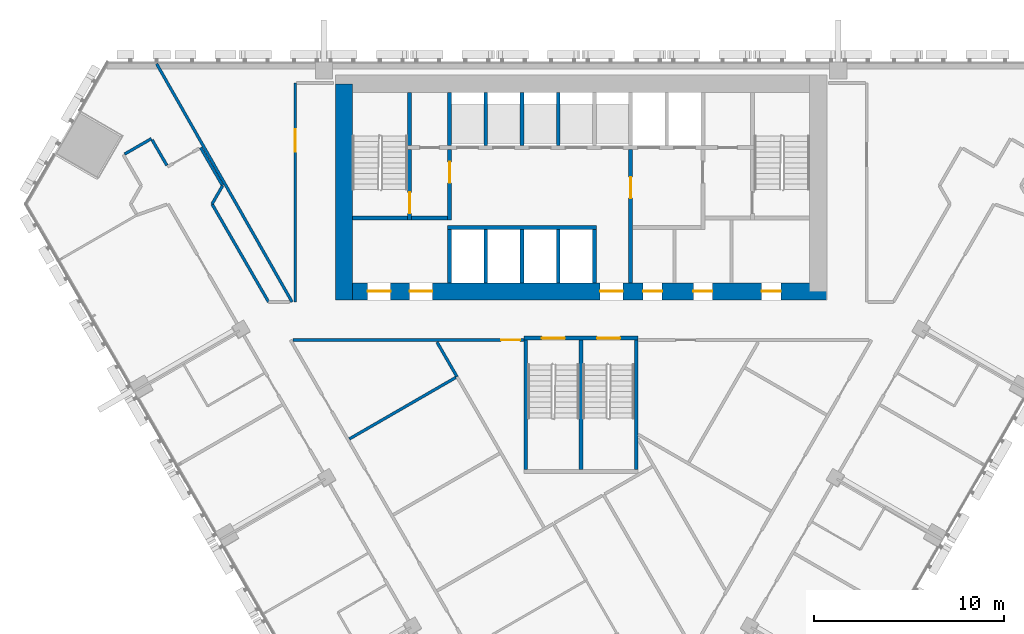
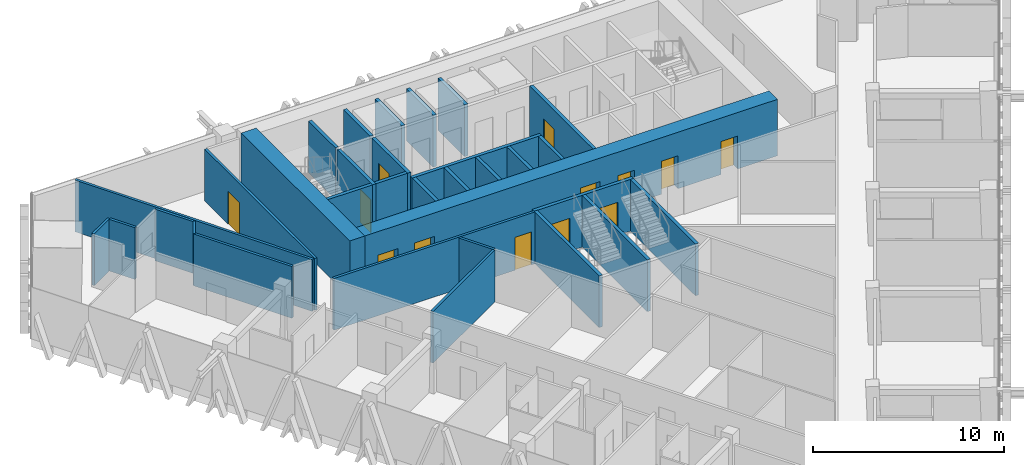
# One storey, part 10 of 15: 32 walls, 13 doors, 13 openings.
"""IFC4 building model written with IfcOpenShell, lengths in metres."""

from ifc_helpers import new_model, si_unit, direction, frame, frame_2d, origin, place, context, subcontext, project, spatial, rectangle, extrude, material, layer, layer_set, type_object, element, fill, save


model = new_model("IFC4")

# Units and contexts
model_context = context("Model", 3, precision=1e-05, world=origin(), true_north=direction((0.0, 1.0)))
body_context = subcontext(model_context, "Body", "Model", "MODEL_VIEW")
ifc_project = project(units=[si_unit("LENGTHUNIT", "METRE"), si_unit("AREAUNIT", "SQUARE_METRE"), si_unit("VOLUMEUNIT", "CUBIC_METRE"), si_unit("PLANEANGLEUNIT", "RADIAN"), si_unit("MASSUNIT", "GRAM", prefix="KILO")], contexts=[model_context])

# Site, building, storey
site_placement = place(None, origin())
site = spatial("IfcSite", under=ifc_project, at=site_placement, CompositionType="ELEMENT")
building_placement = place(site_placement, origin())
building = spatial("IfcBuilding", under=site, at=building_placement, Name="Altiplano Prism Tower", CompositionType="ELEMENT")
storey_placement = place(building_placement, frame((0.0, 0.0, 91.800048828125)))
storey = spatial("IfcBuildingStorey", under=building, at=storey_placement, Name="L23", CompositionType="ELEMENT", Elevation=91.800048828125)

# Wall, openings, doors
ifc_material_1 = material(Name="Concrete C70/85", Category="concrete")
ifc_layer_1 = layer(ifc_material_1, 0.89990234375)
ifc_layer_set_1 = layer_set([ifc_layer_1], Name="Concrete C70/85")
wall_type_1 = type_object("IfcWallType", Name="Core wall 900", PredefinedType="SHEAR", material=ifc_layer_set_1)
wall_1_placement = place(storey_placement, frame((72.550048828125, 92.949951171875, 0.0), z_axis=(0.0, 0.0, 1.0), x_axis=(1.0, 0.0, 0.0)))
wall_1 = element("IfcWall", 1, at=wall_1_placement, inside=storey, type_object=wall_type_1, Name="Core wall S L23", PredefinedType="SHEAR", context=body_context, shape_type="SweptSolid", body=[
    extrude(rectangle(XDim=25.349853515625, YDim=0.89990234375, at=frame_2d((12.6748046875, 0.0))), origin(), (0.0, 0.0, 1.0), 3.599853515625),
])
opening_1_placement = place(wall_1_placement, frame((1.25, 0.0, 0.0)))
opening_1 = element("IfcOpeningElement", 2, at=opening_1_placement, cuts=wall_1, Name="Opening D2900", PredefinedType="OPENING", context=body_context, shape_type="SweptSolid", body=[
    extrude(rectangle(XDim=1.199951171875, YDim=2.10009765625, at=frame_2d((0.60009765625, 1.050048828125))), frame((0.0, 0.46044921875, 0.0), z_axis=(0.0, -1.0, 0.0), x_axis=(1.0, 0.0, 0.0)), (0.0, 0.0, 1.0), 0.9208984375),
])
opening_2_placement = place(wall_1_placement, frame((3.449951171875, 0.0, 0.0)))
opening_2 = element("IfcOpeningElement", 3, at=opening_2_placement, cuts=wall_1, Name="Opening D2901", PredefinedType="OPENING", context=body_context, shape_type="SweptSolid", body=[
    extrude(rectangle(XDim=1.199951171875, YDim=2.10009765625, at=frame_2d((0.60009765625, 1.050048828125))), frame((0.0, 0.46044921875, 0.0), z_axis=(0.0, -1.0, 0.0), x_axis=(1.0, 0.0, 0.0)), (0.0, 0.0, 1.0), 0.9208984375),
])
opening_3_placement = place(wall_1_placement, frame((13.449951171875, 0.0, 0.0)))
opening_3 = element("IfcOpeningElement", 4, at=opening_3_placement, cuts=wall_1, Name="Opening D2902", PredefinedType="OPENING", context=body_context, shape_type="SweptSolid", body=[
    extrude(rectangle(XDim=1.199951171875, YDim=2.10009765625, at=frame_2d((0.60009765625, 1.050048828125))), frame((0.0, 0.46044921875, 0.0), z_axis=(0.0, -1.0, 0.0), x_axis=(1.0, 0.0, 0.0)), (0.0, 0.0, 1.0), 0.9208984375),
])
opening_4_placement = place(wall_1_placement, frame((15.71240234375, 0.0, 0.0)))
opening_4 = element("IfcOpeningElement", 5, at=opening_4_placement, cuts=wall_1, Name="Opening D2905", PredefinedType="OPENING", context=body_context, shape_type="SweptSolid", body=[
    extrude(rectangle(XDim=1.0, YDim=2.10009765625, at=frame_2d((0.5, 1.050048828125))), frame((0.0, 0.46044921875, 0.0), z_axis=(0.0, -1.0, 0.0), x_axis=(1.0, 0.0, 0.0)), (0.0, 0.0, 1.0), 0.9208984375),
])
opening_5_placement = place(wall_1_placement, frame((18.35009765625, 0.0, 0.0)))
opening_5 = element("IfcOpeningElement", 6, at=opening_5_placement, cuts=wall_1, Name="Opening D2906", PredefinedType="OPENING", context=body_context, shape_type="SweptSolid", body=[
    extrude(rectangle(XDim=1.0, YDim=2.10009765625, at=frame_2d((0.5, 1.050048828125))), frame((0.0, 0.46044921875, 0.0), z_axis=(0.0, -1.0, 0.0), x_axis=(1.0, 0.0, 0.0)), (0.0, 0.0, 1.0), 0.9208984375),
])
opening_6_placement = place(wall_1_placement, frame((21.9375, 0.0, 0.0)))
opening_6 = element("IfcOpeningElement", 7, at=opening_6_placement, cuts=wall_1, Name="Opening D2907", PredefinedType="OPENING", context=body_context, shape_type="SweptSolid", body=[
    extrude(rectangle(XDim=1.0, YDim=2.10009765625, at=frame_2d((0.5, 1.050048828125))), frame((0.0, 0.46044921875, 0.0), z_axis=(0.0, -1.0, 0.0), x_axis=(1.0, 0.0, 0.0)), (0.0, 0.0, 1.0), 0.9208984375),
])
ifc_material_2 = material(Name="Fire-rated steel door", Category="steel")
door_type_1 = type_object("IfcDoorType", Name="Core room door 1000 x 2100", OperationType="NOTDEFINED", PredefinedType="NOTDEFINED", material=ifc_material_2)
door_1_placement = place(opening_4_placement, origin())
door_1 = element("IfcDoor", 8, at=door_1_placement, inside=storey, type_object=door_type_1, Name="Core room door D2905", OperationType="SINGLE_SWING_RIGHT", OverallHeight=2.10009765625, OverallWidth=1.0, PredefinedType="NOTDEFINED", context=body_context, shape_type="SweptSolid", body=[
    extrude(rectangle(XDim=1.0, YDim=2.10009765625, at=frame_2d((0.5, 1.050048828125))), frame((0.0, 0.02490234375, 0.0), z_axis=(0.0, -1.0, 0.0), x_axis=(1.0, 0.0, 0.0)), (0.0, 0.0, 1.0), 0.050048828125),
])
fill(opening_4, door_1)
door_2_placement = place(opening_5_placement, origin())
door_2 = element("IfcDoor", 9, at=door_2_placement, inside=storey, type_object=door_type_1, Name="Core room door D2906", OperationType="SINGLE_SWING_LEFT", OverallHeight=2.10009765625, OverallWidth=1.0, PredefinedType="NOTDEFINED", context=body_context, shape_type="SweptSolid", body=[
    extrude(rectangle(XDim=1.0, YDim=2.10009765625, at=frame_2d((0.5, 1.050048828125))), frame((0.0, 0.02490234375, 0.0), z_axis=(0.0, -1.0, 0.0), x_axis=(1.0, 0.0, 0.0)), (0.0, 0.0, 1.0), 0.050048828125),
])
fill(opening_5, door_2)
door_3_placement = place(opening_6_placement, origin())
door_3 = element("IfcDoor", 10, at=door_3_placement, inside=storey, type_object=door_type_1, Name="Core room door D2907", OperationType="SINGLE_SWING_RIGHT", OverallHeight=2.10009765625, OverallWidth=1.0, PredefinedType="NOTDEFINED", context=body_context, shape_type="SweptSolid", body=[
    extrude(rectangle(XDim=1.0, YDim=2.10009765625, at=frame_2d((0.5, 1.050048828125))), frame((0.0, 0.02490234375, 0.0), z_axis=(0.0, -1.0, 0.0), x_axis=(1.0, 0.0, 0.0)), (0.0, 0.0, 1.0), 0.050048828125),
])
fill(opening_6, door_3)
door_type_2 = type_object("IfcDoorType", Name="Lobby fire door 1200 x 2100", OperationType="NOTDEFINED", PredefinedType="NOTDEFINED", material=ifc_material_2)
door_4_placement = place(opening_1_placement, origin())
door_4 = element("IfcDoor", 11, at=door_4_placement, inside=storey, type_object=door_type_2, Name="Lobby fire door D2900", OperationType="SINGLE_SWING_RIGHT", OverallHeight=2.10009765625, OverallWidth=1.199951171875, PredefinedType="NOTDEFINED", context=body_context, shape_type="SweptSolid", body=[
    extrude(rectangle(XDim=1.199951171875, YDim=2.10009765625, at=frame_2d((0.60009765625, 1.050048828125))), frame((0.0, 0.02490234375, 0.0), z_axis=(0.0, -1.0, 0.0), x_axis=(1.0, 0.0, 0.0)), (0.0, 0.0, 1.0), 0.050048828125),
])
fill(opening_1, door_4)
door_5_placement = place(opening_2_placement, origin())
door_5 = element("IfcDoor", 12, at=door_5_placement, inside=storey, type_object=door_type_2, Name="Lobby fire door D2901", OperationType="SINGLE_SWING_LEFT", OverallHeight=2.10009765625, OverallWidth=1.199951171875, PredefinedType="NOTDEFINED", context=body_context, shape_type="SweptSolid", body=[
    extrude(rectangle(XDim=1.199951171875, YDim=2.10009765625, at=frame_2d((0.60009765625, 1.050048828125))), frame((0.0, 0.02490234375, 0.0), z_axis=(0.0, -1.0, 0.0), x_axis=(1.0, 0.0, 0.0)), (0.0, 0.0, 1.0), 0.050048828125),
])
fill(opening_2, door_5)
door_6_placement = place(opening_3_placement, origin())
door_6 = element("IfcDoor", 13, at=door_6_placement, inside=storey, type_object=door_type_2, Name="Lobby fire door D2902", OperationType="SINGLE_SWING_RIGHT", OverallHeight=2.10009765625, OverallWidth=1.199951171875, PredefinedType="NOTDEFINED", context=body_context, shape_type="SweptSolid", body=[
    extrude(rectangle(XDim=1.199951171875, YDim=2.10009765625, at=frame_2d((0.60009765625, 1.050048828125))), frame((0.0, 0.02490234375, 0.0), z_axis=(0.0, -1.0, 0.0), x_axis=(1.0, 0.0, 0.0)), (0.0, 0.0, 1.0), 0.050048828125),
])
fill(opening_3, door_6)

# Walls
wall_2_placement = place(storey_placement, frame((72.550048828125, 103.85009765625, 0.0), z_axis=(0.0, 0.0, 1.0), x_axis=(0.0, -1.0, 0.0)))
element("IfcWall", 14, at=wall_2_placement, inside=storey, type_object=wall_type_1, Name="Core wall W L23", PredefinedType="SHEAR", context=body_context, shape_type="SweptSolid", body=[
    extrude(rectangle(XDim=11.35009765625, YDim=0.89990234375, at=frame_2d((5.675048828125, 0.0))), origin(), (0.0, 0.0, 1.0), 3.599853515625),
])
ifc_material_3 = material(Name="Plasterboard on steel stud", Category="steel")
ifc_layer_2 = layer(ifc_material_3, 0.14990234375)
ifc_layer_set_2 = layer_set([ifc_layer_2], Name="Plasterboard on steel stud")
wall_type_2 = type_object("IfcWallType", Name="Partition 150 corridor", PredefinedType="PARTITIONING", material=ifc_layer_set_2)
wall_3_placement = place(storey_placement, frame((68.59619140625, 92.39990234375, 0.0), z_axis=(0.0, 0.0, 1.0), x_axis=(-0.500019194352, 0.866014321637, 0.0)))
element("IfcWall", 15, at=wall_3_placement, inside=storey, type_object=wall_type_2, Name="Partition P06 L23 004", PredefinedType="PARTITIONING", context=body_context, shape_type="SweptSolid", body=[
    extrude(rectangle(XDim=5.934814453125, YDim=0.14990234375, at=frame_2d((2.96728515625, 0.0))), origin(), (0.0, 0.0, 1.0), 3.300048828125),
])
wall_4_placement = place(storey_placement, frame((65.628662109375, 97.53955078125, 0.0), z_axis=(0.0, 0.0, 1.0), x_axis=(0.50011622646, 0.865958290007, 0.0)))
element("IfcWall", 16, at=wall_4_placement, inside=storey, type_object=wall_type_2, Name="Partition P06 L23 005", PredefinedType="PARTITIONING", context=body_context, shape_type="SweptSolid", body=[
    extrude(rectangle(XDim=1.109130859375, YDim=0.14990234375, at=frame_2d((0.5546875, 0.0))), origin(), (0.0, 0.0, 1.0), 3.300048828125),
])
wall_5_placement = place(storey_placement, frame((66.183349609375, 98.5, 0.0), z_axis=(0.0, 0.0, 1.0), x_axis=(-0.500027479704, 0.866009537788, 0.0)))
element("IfcWall", 17, at=wall_5_placement, inside=storey, type_object=wall_type_2, Name="Partition P06 L23 006", PredefinedType="PARTITIONING", context=body_context, shape_type="SweptSolid", body=[
    extrude(rectangle(XDim=2.309326171875, YDim=0.14990234375, at=frame_2d((1.15478515625, 0.0))), origin(), (0.0, 0.0, 1.0), 3.300048828125),
])
wall_6_placement = place(storey_placement, frame((63.259033203125, 99.56494140625, 0.0), z_axis=(0.0, 0.0, 1.0), x_axis=(-0.499967891604, 0.866043940782, 0.0)))
element("IfcWall", 18, at=wall_6_placement, inside=storey, type_object=wall_type_2, Name="Partition P06 L23 008", PredefinedType="PARTITIONING", context=body_context, shape_type="SweptSolid", body=[
    extrude(rectangle(XDim=1.5498046875, YDim=0.14990234375, at=frame_2d((0.77490234375, 0.0))), origin(), (0.0, 0.0, 1.0), 3.300048828125),
])
wall_7_placement = place(storey_placement, frame((62.446533203125, 100.97216796875, 0.0), z_axis=(0.0, 0.0, 1.0), x_axis=(-0.866015446554, -0.500017246033, 0.0)))
element("IfcWall", 19, at=wall_7_placement, inside=storey, type_object=wall_type_2, Name="Partition P06 L23 009", PredefinedType="PARTITIONING", context=body_context, shape_type="SweptSolid", body=[
    extrude(rectangle(XDim=1.625, YDim=0.14990234375, at=frame_2d((0.8125, 0.0))), origin(), (0.0, 0.0, 1.0), 3.300048828125),
])

# Wall, opening, door
wall_8_placement = place(storey_placement, frame((70.0, 103.89990234375, 0.0), z_axis=(0.0, 0.0, 1.0), x_axis=(0.0, -1.0, 0.0)))
wall_8 = element("IfcWall", 20, at=wall_8_placement, inside=storey, type_object=wall_type_2, Name="Partition P06 L23 031", PredefinedType="PARTITIONING", context=body_context, shape_type="SweptSolid", body=[
    extrude(rectangle(XDim=11.5, YDim=0.14990234375, at=frame_2d((5.75, 0.0))), origin(), (0.0, 0.0, 1.0), 3.300048828125),
])
opening_7_placement = place(wall_8_placement, frame((2.428955078125, 0.0, 0.0)))
opening_7 = element("IfcOpeningElement", 21, at=opening_7_placement, cuts=wall_8, Name="Opening D0876", PredefinedType="OPENING", context=body_context, shape_type="SweptSolid", body=[
    extrude(rectangle(XDim=1.199951171875, YDim=2.10009765625, at=frame_2d((0.60009765625, 1.050048828125))), frame((0.0, 0.08544921875, 0.0), z_axis=(0.0, -1.0, 0.0), x_axis=(1.0, 0.0, 0.0)), (0.0, 0.0, 1.0), 0.1708984375),
])
ifc_material_4 = material(Name="Timber", Category="wood")
door_type_3 = type_object("IfcDoorType", Name="Shared room door 1200 x 2100", OperationType="NOTDEFINED", PredefinedType="NOTDEFINED", material=ifc_material_4)
door_7_placement = place(opening_7_placement, origin())
door_7 = element("IfcDoor", 22, at=door_7_placement, inside=storey, type_object=door_type_3, Name="Door D0876", OperationType="SINGLE_SWING_LEFT", OverallHeight=2.10009765625, OverallWidth=1.199951171875, PredefinedType="NOTDEFINED", context=body_context, shape_type="SweptSolid", body=[
    extrude(rectangle(XDim=1.199951171875, YDim=2.10009765625, at=frame_2d((0.60009765625, 1.050048828125))), frame((0.0, 0.02490234375, 0.0), z_axis=(0.0, -1.0, 0.0), x_axis=(1.0, 0.0, 0.0)), (0.0, 0.0, 1.0), 0.050048828125),
])
fill(opening_7, door_7)

wall_9_placement = place(storey_placement, frame((69.880615234375, 90.39990234375, 0.0), z_axis=(0.0, 0.0, 1.0), x_axis=(1.0, 0.0, 0.0)))
wall_9 = element("IfcWall", 23, at=wall_9_placement, inside=storey, type_object=wall_type_2, Name="Partition P06 L23 032", PredefinedType="PARTITIONING", context=body_context, shape_type="SweptSolid", body=[
    extrude(rectangle(XDim=12.119384765625, YDim=0.14990234375, at=frame_2d((6.0595703125, 0.0))), origin(), (0.0, 0.0, 1.0), 3.300048828125),
])
opening_8_placement = place(wall_9_placement, frame((10.9189453125, 0.0, 0.0)))
opening_8 = element("IfcOpeningElement", 24, at=opening_8_placement, cuts=wall_9, Name="Opening D0881", PredefinedType="OPENING", context=body_context, shape_type="SweptSolid", body=[
    extrude(rectangle(XDim=1.0, YDim=2.10009765625, at=frame_2d((0.5, 1.050048828125))), frame((0.0, 0.08544921875, 0.0), z_axis=(0.0, -1.0, 0.0), x_axis=(1.0, 0.0, 0.0)), (0.0, 0.0, 1.0), 0.1708984375),
])
door_type_4 = type_object("IfcDoorType", Name="Room door 1000 x 2100", OperationType="NOTDEFINED", PredefinedType="NOTDEFINED", material=ifc_material_4)
door_8_placement = place(opening_8_placement, origin())
door_8 = element("IfcDoor", 25, at=door_8_placement, inside=storey, type_object=door_type_4, Name="Door D0881", OperationType="SINGLE_SWING_LEFT", OverallHeight=2.10009765625, OverallWidth=1.0, PredefinedType="NOTDEFINED", context=body_context, shape_type="SweptSolid", body=[
    extrude(rectangle(XDim=1.0, YDim=2.10009765625, at=frame_2d((0.5, 1.050048828125))), frame((0.0, 0.02490234375, 0.0), z_axis=(0.0, -1.0, 0.0), x_axis=(1.0, 0.0, 0.0)), (0.0, 0.0, 1.0), 0.050048828125),
])
fill(opening_8, door_8)

# Walls
ifc_layer_3 = layer(ifc_material_3, 0.14990234375)
ifc_layer_set_3 = layer_set([ifc_layer_3], Name="Plasterboard on steel stud")
wall_type_3 = type_object("IfcWallType", Name="Partition 150 party", PredefinedType="PARTITIONING", material=ifc_layer_set_3)
wall_10_placement = place(storey_placement, frame((69.8291015625, 92.40087890625, 0.0), z_axis=(0.0, 0.0, 1.0), x_axis=(-0.494399076239, 0.869235039223, 0.0)))
element("IfcWall", 26, at=wall_10_placement, inside=storey, type_object=wall_type_3, Name="Partition P01 L23 041", PredefinedType="PARTITIONING", context=body_context, shape_type="SweptSolid", body=[
    extrude(rectangle(XDim=14.37939453125, YDim=0.14990234375, at=frame_2d((7.189697265625, 0.0))), origin(), (0.0, 0.0, 1.0), 3.300048828125),
])
wall_11_placement = place(storey_placement, frame((78.425048828125, 88.432373046875, 0.0), z_axis=(0.0, 0.0, 1.0), x_axis=(-0.866027451727, -0.499996452843, 0.0)))
element("IfcWall", 27, at=wall_11_placement, inside=storey, type_object=wall_type_3, Name="Partition P01 L23 082", PredefinedType="PARTITIONING", context=body_context, shape_type="SweptSolid", body=[
    extrude(rectangle(XDim=6.453125, YDim=0.14990234375, at=frame_2d((3.2265625, 0.0))), origin(), (0.0, 0.0, 1.0), 3.300048828125),
])
wall_12_placement = place(storey_placement, frame((77.440673828125, 90.28759765625, 0.0), z_axis=(0.0, 0.0, 1.0), x_axis=(0.499967479009, -0.866044178973, 0.0)))
element("IfcWall", 28, at=wall_12_placement, inside=storey, type_object=wall_type_3, Name="Partition P01 L23 085", PredefinedType="PARTITIONING", context=body_context, shape_type="SweptSolid", body=[
    extrude(rectangle(XDim=2.098876953125, YDim=0.14990234375, at=frame_2d((1.04931640625, 0.0))), origin(), (0.0, 0.0, 1.0), 3.300048828125),
])
ifc_material_5 = material(Name="Concrete C60/75", Category="concrete")
ifc_layer_4 = layer(ifc_material_5, 0.199951171875)
ifc_layer_set_4 = layer_set([ifc_layer_4], Name="Concrete C60/75")
wall_type_4 = type_object("IfcWallType", Name="Shaft wall 200", PredefinedType="SOLIDWALL", material=ifc_layer_set_4)
for number, where, z_axis, x_axis, name in (
    (29, (78.10009765625, 93.39990234375, 0.0), (0.0, 0.0, 1.0), (0.0, 1.0, 0.0), "Shaft wall L23"),
    (30, (80.0, 93.39990234375, 0.0), (0.0, 0.0, 1.0), (0.0, 1.0, 0.0), "Shaft wall L23"),
    (31, (81.89990234375, 93.39990234375, 0.0), (0.0, 0.0, 1.0), (0.0, 1.0, 0.0), "Shaft wall L23"),
    (32, (83.800048828125, 93.39990234375, 0.0), (0.0, 0.0, 1.0), (0.0, 1.0, 0.0), "Shaft wall L23"),
    (33, (85.699951171875, 93.39990234375, 0.0), (0.0, 0.0, 1.0), (0.0, 1.0, 0.0), "Shaft wall L23"),
):
    element("IfcWall", number, at=place(storey_placement, frame(where, z_axis=z_axis, x_axis=x_axis)), inside=storey, type_object=wall_type_4, Name=name, PredefinedType="SOLIDWALL", context=body_context, shape_type="SweptSolid", body=[
        extrude(rectangle(XDim=2.800048828125, YDim=0.199951171875, at=frame_2d((1.39990234375, 0.0))), origin(), (0.0, 0.0, 1.0), 3.300048828125),
    ])
wall_13_placement = place(storey_placement, frame((78.0, 96.300048828125, 0.0), z_axis=(0.0, 0.0, 1.0), x_axis=(1.0, 0.0, 0.0)))
element("IfcWall", 34, at=wall_13_placement, inside=storey, type_object=wall_type_4, Name="Shaft wall L23", PredefinedType="SOLIDWALL", context=body_context, shape_type="SweptSolid", body=[
    extrude(rectangle(XDim=7.800048828125, YDim=0.199951171875, at=frame_2d((3.89990234375, 0.0))), origin(), (0.0, 0.0, 1.0), 3.300048828125),
])
for number, where, z_axis, x_axis, name in (
    (35, (78.10009765625, 100.60009765625, 0.0), (0.0, 0.0, 1.0), (0.0, 1.0, 0.0), "Shaft wall L23"),
    (36, (80.0, 100.60009765625, 0.0), (0.0, 0.0, 1.0), (0.0, 1.0, 0.0), "Shaft wall L23"),
    (37, (81.89990234375, 100.60009765625, 0.0), (0.0, 0.0, 1.0), (0.0, 1.0, 0.0), "Shaft wall L23"),
    (38, (83.800048828125, 100.60009765625, 0.0), (0.0, 0.0, 1.0), (0.0, 1.0, 0.0), "Shaft wall L23"),
):
    element("IfcWall", number, at=place(storey_placement, frame(where, z_axis=z_axis, x_axis=x_axis)), inside=storey, type_object=wall_type_4, Name=name, PredefinedType="SOLIDWALL", context=body_context, shape_type="SweptSolid", body=[
        extrude(rectangle(XDim=2.7998046875, YDim=0.199951171875, at=frame_2d((1.39990234375, 0.0))), origin(), (0.0, 0.0, 1.0), 3.300048828125),
    ])
ifc_layer_5 = layer(ifc_material_5, 0.199951171875)
ifc_layer_set_5 = layer_set([ifc_layer_5], Name="Concrete C60/75")
wall_type_5 = type_object("IfcWallType", Name="Stair wall 200", PredefinedType="SOLIDWALL", material=ifc_layer_set_5)
wall_14_placement = place(storey_placement, frame((73.0, 96.800048828125, 0.0), z_axis=(0.0, 0.0, 1.0), x_axis=(1.0, 0.0, 0.0)))
element("IfcWall", 39, at=wall_14_placement, inside=storey, type_object=wall_type_5, Name="Stair wall L23", PredefinedType="SOLIDWALL", context=body_context, shape_type="SweptSolid", body=[
    extrude(rectangle(XDim=2.89990234375, YDim=0.199951171875, at=frame_2d((1.449951171875, 0.0))), origin(), (0.0, 0.0, 1.0), 3.300048828125),
])

# Wall, opening, door
wall_15_placement = place(storey_placement, frame((76.0, 96.699951171875, 0.0), z_axis=(0.0, 0.0, 1.0), x_axis=(0.0, 1.0, 0.0)))
wall_15 = element("IfcWall", 40, at=wall_15_placement, inside=storey, type_object=wall_type_5, Name="Stair wall L23", PredefinedType="SOLIDWALL", context=body_context, shape_type="SweptSolid", body=[
    extrude(rectangle(XDim=3.699951171875, YDim=0.199951171875, at=frame_2d((1.85009765625, 0.0))), origin(), (0.0, 0.0, 1.0), 3.300048828125),
])
opening_9_placement = place(wall_15_placement, frame((0.35009765625, 0.0, 0.0)))
opening_9 = element("IfcOpeningElement", 41, at=opening_9_placement, cuts=wall_15, Name="Opening D2895", PredefinedType="OPENING", context=body_context, shape_type="SweptSolid", body=[
    extrude(rectangle(XDim=1.10009765625, YDim=2.10009765625, at=frame_2d((0.550048828125, 1.050048828125))), frame((0.0, 0.1103515625, 0.0), z_axis=(0.0, -1.0, 0.0), x_axis=(1.0, 0.0, 0.0)), (0.0, 0.0, 1.0), 0.220947265625),
])
door_type_5 = type_object("IfcDoorType", Name="Stair fire door 1100 x 2100", OperationType="NOTDEFINED", PredefinedType="NOTDEFINED", material=ifc_material_2)
door_9_placement = place(opening_9_placement, origin())
door_9 = element("IfcDoor", 42, at=door_9_placement, inside=storey, type_object=door_type_5, Name="Stair fire door D2895", OperationType="SINGLE_SWING_RIGHT", OverallHeight=2.10009765625, OverallWidth=1.10009765625, PredefinedType="NOTDEFINED", context=body_context, shape_type="SweptSolid", body=[
    extrude(rectangle(XDim=1.10009765625, YDim=2.10009765625, at=frame_2d((0.550048828125, 1.050048828125))), frame((0.0, 0.02490234375, 0.0), z_axis=(0.0, -1.0, 0.0), x_axis=(1.0, 0.0, 0.0)), (0.0, 0.0, 1.0), 0.050048828125),
])
fill(opening_9, door_9)

# Wall
wall_16_placement = place(storey_placement, frame((76.0, 100.60009765625, 0.0), z_axis=(0.0, 0.0, 1.0), x_axis=(0.0, 1.0, 0.0)))
element("IfcWall", 43, at=wall_16_placement, inside=storey, type_object=wall_type_5, Name="Stair wall L23", PredefinedType="SOLIDWALL", context=body_context, shape_type="SweptSolid", body=[
    extrude(rectangle(XDim=2.7998046875, YDim=0.199951171875, at=frame_2d((1.39990234375, 0.0))), origin(), (0.0, 0.0, 1.0), 3.300048828125),
])

# Wall, openings, doors
wall_17_placement = place(storey_placement, frame((82.0, 90.5, 0.0), z_axis=(0.0, 0.0, 1.0), x_axis=(1.0, 0.0, 0.0)))
wall_17 = element("IfcWall", 44, at=wall_17_placement, inside=storey, type_object=wall_type_5, Name="Stair 3 wall north L23", PredefinedType="SOLIDWALL", context=body_context, shape_type="SweptSolid", body=[
    extrude(rectangle(XDim=6.0, YDim=0.199951171875, at=frame_2d((3.0, 0.0))), origin(), (0.0, 0.0, 1.0), 3.300048828125),
])
opening_10_placement = place(wall_17_placement, frame((0.949951171875, 0.0, 0.0)))
opening_10 = element("IfcOpeningElement", 45, at=opening_10_placement, cuts=wall_17, Name="Opening D3968", PredefinedType="OPENING", context=body_context, shape_type="SweptSolid", body=[
    extrude(rectangle(XDim=1.199951171875, YDim=2.10009765625, at=frame_2d((0.60009765625, 1.050048828125))), frame((0.0, 0.1103515625, 0.0), z_axis=(0.0, -1.0, 0.0), x_axis=(1.0, 0.0, 0.0)), (0.0, 0.0, 1.0), 0.220947265625),
])
opening_11_placement = place(wall_17_placement, frame((3.85009765625, 0.0, 0.0)))
opening_11 = element("IfcOpeningElement", 46, at=opening_11_placement, cuts=wall_17, Name="Opening D3969", PredefinedType="OPENING", context=body_context, shape_type="SweptSolid", body=[
    extrude(rectangle(XDim=1.199951171875, YDim=2.10009765625, at=frame_2d((0.60009765625, 1.050048828125))), frame((0.0, 0.1103515625, 0.0), z_axis=(0.0, -1.0, 0.0), x_axis=(1.0, 0.0, 0.0)), (0.0, 0.0, 1.0), 0.220947265625),
])
door_type_6 = type_object("IfcDoorType", Name="Stair fire door 1200 x 2100", OperationType="NOTDEFINED", PredefinedType="NOTDEFINED", material=ifc_material_2)
door_10_placement = place(opening_10_placement, origin())
door_10 = element("IfcDoor", 47, at=door_10_placement, inside=storey, type_object=door_type_6, Name="Stair fire door D3968", OperationType="SINGLE_SWING_LEFT", OverallHeight=2.10009765625, OverallWidth=1.199951171875, PredefinedType="NOTDEFINED", context=body_context, shape_type="SweptSolid", body=[
    extrude(rectangle(XDim=1.199951171875, YDim=2.10009765625, at=frame_2d((0.60009765625, 1.050048828125))), frame((0.0, 0.02490234375, 0.0), z_axis=(0.0, -1.0, 0.0), x_axis=(1.0, 0.0, 0.0)), (0.0, 0.0, 1.0), 0.050048828125),
])
fill(opening_10, door_10)
door_11_placement = place(opening_11_placement, origin())
door_11 = element("IfcDoor", 48, at=door_11_placement, inside=storey, type_object=door_type_6, Name="Stair fire door D3969", OperationType="SINGLE_SWING_LEFT", OverallHeight=2.10009765625, OverallWidth=1.199951171875, PredefinedType="NOTDEFINED", context=body_context, shape_type="SweptSolid", body=[
    extrude(rectangle(XDim=1.199951171875, YDim=2.10009765625, at=frame_2d((0.60009765625, 1.050048828125))), frame((0.0, 0.02490234375, 0.0), z_axis=(0.0, -1.0, 0.0), x_axis=(1.0, 0.0, 0.0)), (0.0, 0.0, 1.0), 0.050048828125),
])
fill(opening_11, door_11)

# Walls
for number, where, z_axis, x_axis, name in (
    (49, (82.10009765625, 83.60009765625, 0.0), (0.0, 0.0, 1.0), (0.0, 1.0, 0.0), "Stair 3 wall west L23"),
    (50, (87.89990234375, 83.60009765625, 0.0), (0.0, 0.0, 1.0), (0.0, 1.0, 0.0), "Stair 3 wall east L23"),
    (51, (85.0, 83.60009765625, 0.0), (0.0, 0.0, 1.0), (0.0, 1.0, 0.0), "Stair 3 wall divider L23"),
):
    element("IfcWall", number, at=place(storey_placement, frame(where, z_axis=z_axis, x_axis=x_axis)), inside=storey, type_object=wall_type_5, Name=name, PredefinedType="SOLIDWALL", context=body_context, shape_type="SweptSolid", body=[
        extrude(rectangle(XDim=6.7998046875, YDim=0.199951171875, at=frame_2d((3.39990234375, 0.0))), origin(), (0.0, 0.0, 1.0), 3.300048828125),
    ])

# Wall, opening, door
ifc_layer_6 = layer(ifc_material_5, 0.199951171875)
ifc_layer_set_6 = layer_set([ifc_layer_6], Name="Concrete C60/75")
wall_type_6 = type_object("IfcWallType", Name="Vestibule wall 200", PredefinedType="PARTITIONING", material=ifc_layer_set_6)
wall_18_placement = place(storey_placement, frame((87.60009765625, 93.39990234375, 0.0), z_axis=(0.0, 0.0, 1.0), x_axis=(0.0, 1.0, 0.0)))
wall_18 = element("IfcWall", 52, at=wall_18_placement, inside=storey, type_object=wall_type_6, Name="Vestibule wall L23", PredefinedType="PARTITIONING", context=body_context, shape_type="SweptSolid", body=[
    extrude(rectangle(XDim=7.0, YDim=0.199951171875, at=frame_2d((3.5, 0.0))), origin(), (0.0, 0.0, 1.0), 3.300048828125),
])
opening_12_placement = place(wall_18_placement, frame((4.449951171875, 0.0, 0.0)))
opening_12 = element("IfcOpeningElement", 53, at=opening_12_placement, cuts=wall_18, Name="Opening D2898", PredefinedType="OPENING", context=body_context, shape_type="SweptSolid", body=[
    extrude(rectangle(XDim=1.10009765625, YDim=2.10009765625, at=frame_2d((0.550048828125, 1.050048828125))), frame((0.0, 0.1103515625, 0.0), z_axis=(0.0, -1.0, 0.0), x_axis=(1.0, 0.0, 0.0)), (0.0, 0.0, 1.0), 0.220947265625),
])
door_type_7 = type_object("IfcDoorType", Name="Vestibule fire door 1100 x 2100", OperationType="NOTDEFINED", PredefinedType="NOTDEFINED", material=ifc_material_2)
door_12_placement = place(opening_12_placement, origin())
door_12 = element("IfcDoor", 54, at=door_12_placement, inside=storey, type_object=door_type_7, Name="Vestibule fire door D2898", OperationType="SINGLE_SWING_RIGHT", OverallHeight=2.10009765625, OverallWidth=1.10009765625, PredefinedType="NOTDEFINED", context=body_context, shape_type="SweptSolid", body=[
    extrude(rectangle(XDim=1.10009765625, YDim=2.10009765625, at=frame_2d((0.550048828125, 1.050048828125))), frame((0.0, 0.02490234375, 0.0), z_axis=(0.0, -1.0, 0.0), x_axis=(1.0, 0.0, 0.0)), (0.0, 0.0, 1.0), 0.050048828125),
])
fill(opening_12, door_12)

# Wall
wall_19_placement = place(storey_placement, frame((76.10009765625, 96.800048828125, 0.0), z_axis=(0.0, 0.0, 1.0), x_axis=(1.0, 0.0, 0.0)))
element("IfcWall", 55, at=wall_19_placement, inside=storey, type_object=wall_type_6, Name="Vestibule wall L23", PredefinedType="PARTITIONING", context=body_context, shape_type="SweptSolid", body=[
    extrude(rectangle(XDim=1.89990234375, YDim=0.199951171875, at=frame_2d((0.949951171875, 0.0))), origin(), (0.0, 0.0, 1.0), 3.300048828125),
])

# Wall, opening, door
wall_20_placement = place(storey_placement, frame((78.10009765625, 96.699951171875, 0.0), z_axis=(0.0, 0.0, 1.0), x_axis=(0.0, 1.0, 0.0)))
wall_20 = element("IfcWall", 56, at=wall_20_placement, inside=storey, type_object=wall_type_6, Name="Vestibule wall L23", PredefinedType="PARTITIONING", context=body_context, shape_type="SweptSolid", body=[
    extrude(rectangle(XDim=3.699951171875, YDim=0.199951171875, at=frame_2d((1.85009765625, 0.0))), origin(), (0.0, 0.0, 1.0), 3.300048828125),
])
opening_13_placement = place(wall_20_placement, frame((1.949951171875, 0.0, 0.0)))
opening_13 = element("IfcOpeningElement", 57, at=opening_13_placement, cuts=wall_20, Name="Opening D2897", PredefinedType="OPENING", context=body_context, shape_type="SweptSolid", body=[
    extrude(rectangle(XDim=1.10009765625, YDim=2.10009765625, at=frame_2d((0.550048828125, 1.050048828125))), frame((0.0, 0.1103515625, 0.0), z_axis=(0.0, -1.0, 0.0), x_axis=(1.0, 0.0, 0.0)), (0.0, 0.0, 1.0), 0.220947265625),
])
door_13_placement = place(opening_13_placement, origin())
door_13 = element("IfcDoor", 58, at=door_13_placement, inside=storey, type_object=door_type_7, Name="Vestibule fire door D2897", OperationType="SINGLE_SWING_LEFT", OverallHeight=2.10009765625, OverallWidth=1.10009765625, PredefinedType="NOTDEFINED", context=body_context, shape_type="SweptSolid", body=[
    extrude(rectangle(XDim=1.10009765625, YDim=2.10009765625, at=frame_2d((0.550048828125, 1.050048828125))), frame((0.0, 0.02490234375, 0.0), z_axis=(0.0, -1.0, 0.0), x_axis=(1.0, 0.0, 0.0)), (0.0, 0.0, 1.0), 0.050048828125),
])
fill(opening_13, door_13)

save(model, "model.ifc")
